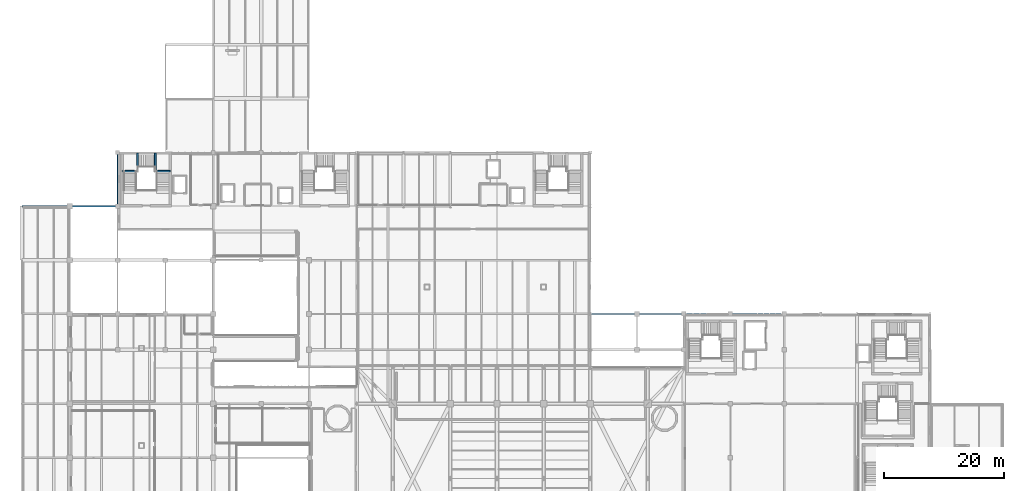
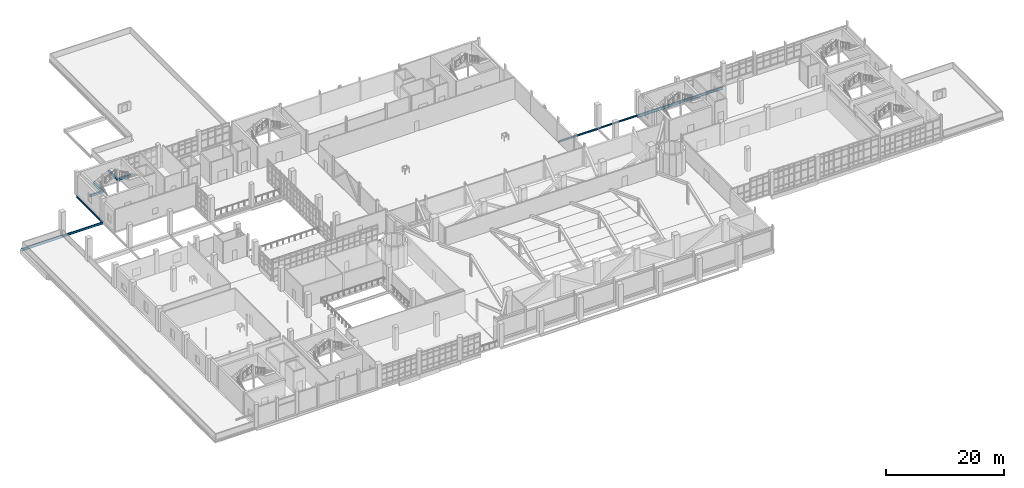
# One storey, part 65 of 127: 11 beams.
"""IFC4 building model written with IfcOpenShell, lengths in metres."""

from ifc_helpers import new_model, si_unit, derived_unit, direction, frame, origin, origin_2d, place, context, subcontext, project, spatial, rectangle, i_section, extrude, material, material_profile, profile_set, type_object, element, save


model = new_model("IFC4")

# Units and contexts
model_context = context("Model", 3, precision=1e-05, world=origin(), true_north=direction((0.0, 1.0)))
body_context = subcontext(model_context, "Body", "Model", "MODEL_VIEW")
ifc_project = project(units=[si_unit("LENGTHUNIT", "METRE"), si_unit("AREAUNIT", "SQUARE_METRE"), si_unit("VOLUMEUNIT", "CUBIC_METRE"), si_unit("PLANEANGLEUNIT", "RADIAN"), si_unit("MASSUNIT", "GRAM", prefix="KILO"), derived_unit("THERMALTRANSMITTANCEUNIT", [(si_unit("POWERUNIT", "WATT"), 1), (si_unit("LENGTHUNIT", "METRE"), -2), (si_unit("THERMODYNAMICTEMPERATUREUNIT", "KELVIN"), -1)])], contexts=[model_context])

# Site, building, storey
site_placement = place(None, origin())
site = spatial("IfcSite", under=ifc_project, at=site_placement, CompositionType="ELEMENT")
building_placement = place(site_placement, origin())
building = spatial("IfcBuilding", under=site, at=building_placement, Name="Nallur Shell Playhouse", CompositionType="ELEMENT")
storey_placement = place(building_placement, frame((0.0, 0.0, 5.39990234375)))
storey = spatial("IfcBuildingStorey", under=building, at=storey_placement, Name="L02", CompositionType="ELEMENT", Elevation=5.39990234375)

# Beams
ifc_material_1 = material(Name="Concrete M35", Category="concrete")
ifc_material_profile_1 = material_profile(ifc_material_1, rectangle(XDim=0.300048828125, YDim=0.449951171875, at=origin_2d()), Name="RC 300x450")
ifc_profile_set_1 = profile_set([ifc_material_profile_1], Name="Concrete M35")
beam_type_1 = type_object("IfcBeamType", Name="BM-SPN-300x450", PredefinedType="SPANDREL", material=ifc_profile_set_1)
beam_1_placement = place(storey_placement, frame((24.820068359375, 79.8798828125, 1.22509765625), z_axis=(1.0, 0.0, 0.0), x_axis=(0.0, 1.0, 0.0)))
element("IfcBeam", 1, at=beam_1_placement, inside=storey, type_object=beam_type_1, Name="Stair ST-06-L02 L1 south bearer beam", PredefinedType="SPANDREL", context=body_context, shape_type="SweptSolid", body=[
    extrude(rectangle(XDim=0.300048828125, YDim=0.449951171875, at=origin_2d()), origin(), (0.0, 0.0, 1.0), 2.559814453125),
])
beam_2_placement = place(storey_placement, frame((27.320068359375, 79.8798828125, 1.22509765625), z_axis=(0.0, 1.0, 0.0), x_axis=(-1.0, 0.0, 0.0)))
element("IfcBeam", 2, at=beam_2_placement, inside=storey, type_object=beam_type_1, Name="Stair ST-06-L02 L1 east bearer beam", PredefinedType="SPANDREL", context=body_context, shape_type="SweptSolid", body=[
    extrude(rectangle(XDim=0.300048828125, YDim=0.449951171875, at=origin_2d()), origin(), (0.0, 0.0, 1.0), 3.0),
])
beam_3_placement = place(storey_placement, frame((30.219970703125, 79.8798828125, 2.72509765625), z_axis=(1.0, 0.0, 0.0), x_axis=(0.0, 1.0, 0.0)))
element("IfcBeam", 3, at=beam_3_placement, inside=storey, type_object=beam_type_1, Name="Stair ST-06-L02 L2 south bearer beam", PredefinedType="SPANDREL", context=body_context, shape_type="SweptSolid", body=[
    extrude(rectangle(XDim=0.300048828125, YDim=0.449951171875, at=origin_2d()), origin(), (0.0, 0.0, 1.0), 2.56005859375),
])
beam_4_placement = place(storey_placement, frame((30.280029296875, 79.8798828125, 2.72509765625), z_axis=(0.0, 1.0, 0.0), x_axis=(-1.0, 0.0, 0.0)))
element("IfcBeam", 4, at=beam_4_placement, inside=storey, type_object=beam_type_1, Name="Stair ST-06-L02 L2 west bearer beam", PredefinedType="SPANDREL", context=body_context, shape_type="SweptSolid", body=[
    extrude(rectangle(XDim=0.300048828125, YDim=0.449951171875, at=origin_2d()), origin(), (0.0, 0.0, 1.0), 3.0),
])
ifc_material_2 = material(Name="Steel E350", Category="steel")
ifc_material_profile_2 = material_profile(ifc_material_2, i_section(OverallWidth=0.18994140625, OverallDepth=0.550048828125, WebThickness=0.01123046875, FlangeThickness=0.019287109375, FilletRadius=0.01806640625, at=origin_2d()), Name="ISMB 550")
ifc_profile_set_2 = profile_set([ifc_material_profile_2], Name="Steel E350")
beam_type_2 = type_object("IfcBeamType", Name="BM-ST-ISMB550", PredefinedType="BEAM", material=ifc_profile_set_2)
beam_5_placement = place(storey_placement, frame((126.39990234375, 56.0, -0.554931640625), z_axis=(1.0, 0.0, 0.0), x_axis=(0.0, 1.0, 0.0)))
element("IfcBeam", 5, at=beam_5_placement, inside=storey, type_object=beam_type_2, Name="L02 girder X-G-361", PredefinedType="BEAM", context=body_context, shape_type="SweptSolid", body=[
    extrude(i_section(OverallWidth=0.18994140625, OverallDepth=0.550048828125, WebThickness=0.01123046875, FlangeThickness=0.019287109375, FilletRadius=0.01806640625, at=origin_2d()), origin(), (0.0, 0.0, 1.0), 9.0),
])
ifc_material_profile_3 = material_profile(ifc_material_2, i_section(OverallWidth=0.2099609375, OverallDepth=0.60009765625, WebThickness=0.011962890625, FlangeThickness=0.020751953125, FilletRadius=0.02001953125, at=origin_2d()), Name="ISMB 600")
ifc_profile_set_3 = profile_set([ifc_material_profile_3], Name="Steel E350")
beam_type_3 = type_object("IfcBeamType", Name="BM-ST-ISMB600", PredefinedType="BEAM", material=ifc_profile_set_3)
beam_6_placement = place(storey_placement, frame((118.60009765625, 56.0, -0.579833984375), z_axis=(1.0, 0.0, 0.0), x_axis=(0.0, 1.0, 0.0)))
element("IfcBeam", 6, at=beam_6_placement, inside=storey, type_object=beam_type_3, Name="L02 girder X-G-360", PredefinedType="BEAM", context=body_context, shape_type="SweptSolid", body=[
    extrude(i_section(OverallWidth=0.2099609375, OverallDepth=0.60009765625, WebThickness=0.011962890625, FlangeThickness=0.020751953125, FilletRadius=0.02001953125, at=origin_2d()), origin(), (0.0, 0.0, 1.0), 7.7998046875),
])
ifc_material_3 = material(Name="Steel E250", Category="steel")
ifc_material_profile_4 = material_profile(ifc_material_3, i_section(OverallWidth=0.199951171875, OverallDepth=0.300048828125, WebThickness=0.00732421875, FlangeThickness=0.010009765625, FilletRadius=0.010986328125, at=origin_2d()), Name="ISWB 300")
ifc_profile_set_4 = profile_set([ifc_material_profile_4], Name="Steel E250")
beam_type_4 = type_object("IfcBeamType", Name="BM-ST-ISWB300", PredefinedType="BEAM", material=ifc_profile_set_4)
beam_7_placement = place(storey_placement, frame((110.800048828125, 56.0, -0.429931640625), z_axis=(1.0, 0.0, 0.0), x_axis=(0.0, 1.0, 0.0)))
element("IfcBeam", 7, at=beam_7_placement, inside=storey, type_object=beam_type_4, Name="L02 girder X-G-359", PredefinedType="BEAM", context=body_context, shape_type="SweptSolid", body=[
    extrude(i_section(OverallWidth=0.199951171875, OverallDepth=0.300048828125, WebThickness=0.00732421875, FlangeThickness=0.010009765625, FilletRadius=0.010986328125, at=origin_2d()), origin(), (0.0, 0.0, 1.0), 7.800048828125),
])
ifc_material_profile_5 = material_profile(ifc_material_2, i_section(OverallWidth=0.199951171875, OverallDepth=0.35009765625, WebThickness=0.008056640625, FlangeThickness=0.011474609375, FilletRadius=0.011962890625, at=origin_2d()), Name="ISWB 350")
ifc_profile_set_5 = profile_set([ifc_material_profile_5], Name="Steel E350")
beam_type_5 = type_object("IfcBeamType", Name="BM-ST-ISWB350", PredefinedType="BEAM", material=ifc_profile_set_5)
beam_8_placement = place(storey_placement, frame((103.0, 56.0, -0.454833984375), z_axis=(1.0, 0.0, 0.0), x_axis=(0.0, 1.0, 0.0)))
element("IfcBeam", 8, at=beam_8_placement, inside=storey, type_object=beam_type_5, Name="L02 girder X-G-358", PredefinedType="BEAM", context=body_context, shape_type="SweptSolid", body=[
    extrude(i_section(OverallWidth=0.199951171875, OverallDepth=0.35009765625, WebThickness=0.008056640625, FlangeThickness=0.011474609375, FilletRadius=0.011962890625, at=origin_2d()), origin(), (0.0, 0.0, 1.0), 7.800048828125),
])
beam_9_placement = place(storey_placement, frame((24.0, 74.0, -0.454833984375), z_axis=(0.0, 1.0, 0.0), x_axis=(-1.0, 0.0, 0.0)))
element("IfcBeam", 9, at=beam_9_placement, inside=storey, type_object=beam_type_5, Name="L02 girder Y-3-406", PredefinedType="BEAM", context=body_context, shape_type="SweptSolid", body=[
    extrude(i_section(OverallWidth=0.199951171875, OverallDepth=0.35009765625, WebThickness=0.008056640625, FlangeThickness=0.011474609375, FilletRadius=0.011962890625, at=origin_2d()), origin(), (0.0, 0.0, 1.0), 9.0),
])
ifc_material_profile_6 = material_profile(ifc_material_2, i_section(OverallWidth=0.199951171875, OverallDepth=0.449951171875, WebThickness=0.00927734375, FlangeThickness=0.015380859375, FilletRadius=0.013916015625, at=origin_2d()), Name="ISWB 450")
ifc_profile_set_6 = profile_set([ifc_material_profile_6], Name="Steel E350")
beam_type_6 = type_object("IfcBeamType", Name="BM-ST-ISWB450", PredefinedType="BEAM", material=ifc_profile_set_6)
beam_10_placement = place(storey_placement, frame((16.0, 74.0, -0.5048828125), z_axis=(1.0, 0.0, 0.0), x_axis=(0.0, 1.0, 0.0)))
element("IfcBeam", 10, at=beam_10_placement, inside=storey, type_object=beam_type_6, Name="L02 girder X-J-372", PredefinedType="BEAM", context=body_context, shape_type="SweptSolid", body=[
    extrude(i_section(OverallWidth=0.199951171875, OverallDepth=0.449951171875, WebThickness=0.00927734375, FlangeThickness=0.015380859375, FilletRadius=0.013916015625, at=origin_2d()), origin(), (0.0, 0.0, 1.0), 8.0),
])
ifc_material_profile_7 = material_profile(ifc_material_2, i_section(OverallWidth=0.25, OverallDepth=0.5, WebThickness=0.010009765625, FlangeThickness=0.0146484375, FilletRadius=0.014892578125, at=origin_2d()), Name="ISWB 500")
ifc_profile_set_7 = profile_set([ifc_material_profile_7], Name="Steel E350")
beam_type_7 = type_object("IfcBeamType", Name="BM-ST-ISWB500", PredefinedType="BEAM", material=ifc_profile_set_7)
beam_11_placement = place(storey_placement, frame((8.0, 74.0, -0.52978515625), z_axis=(1.0, 0.0, 0.0), x_axis=(0.0, 1.0, 0.0)))
element("IfcBeam", 11, at=beam_11_placement, inside=storey, type_object=beam_type_7, Name="L02 girder X-J-371", PredefinedType="BEAM", context=body_context, shape_type="SweptSolid", body=[
    extrude(i_section(OverallWidth=0.25, OverallDepth=0.5, WebThickness=0.010009765625, FlangeThickness=0.0146484375, FilletRadius=0.014892578125, at=origin_2d()), origin(), (0.0, 0.0, 1.0), 8.0),
])

save(model, "model.ifc")
